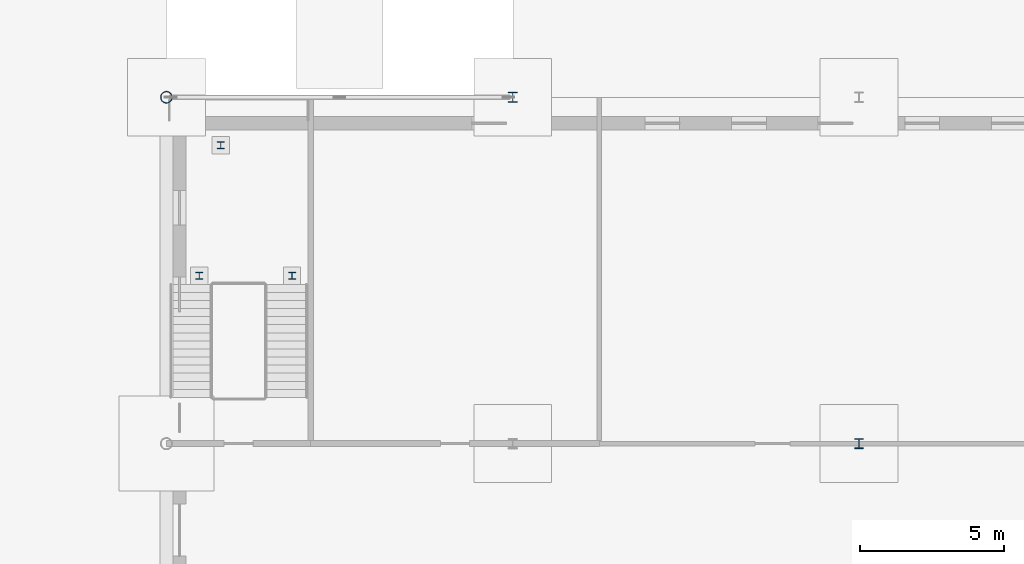
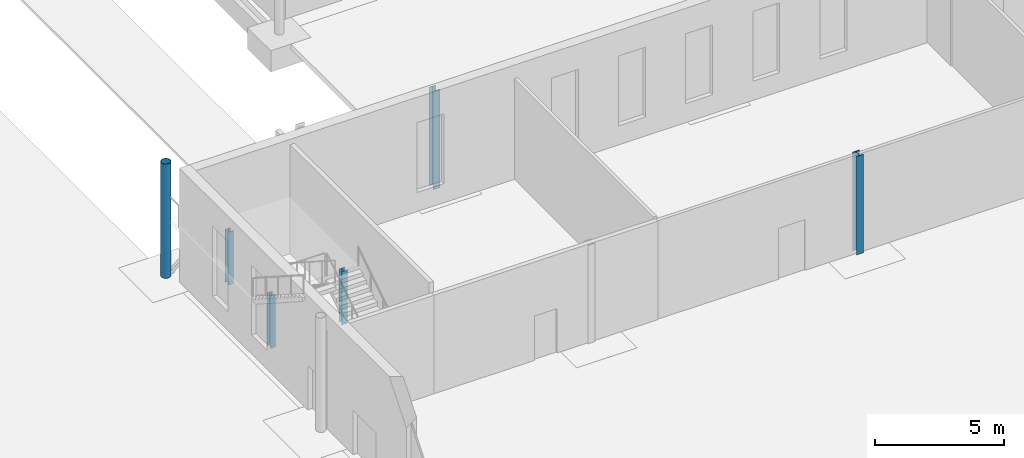
# One storey, part 18 of 132: 6 columns.
"""IFC4 building model written with IfcOpenShell, lengths in metres."""

from ifc_helpers import new_model, si_unit, direction, frame, origin, origin_2d, place, context, subcontext, project, spatial, hollow_circle, i_section, extrude, material, material_profile, profile_set, type_object, element, save


model = new_model("IFC4")

# Units and contexts
model_context = context("Model", 3, precision=1e-05, world=origin(), true_north=direction((0.0, 1.0)))
body_context = subcontext(model_context, "Body", "Model", "MODEL_VIEW")
ifc_project = project(units=[si_unit("LENGTHUNIT", "METRE"), si_unit("AREAUNIT", "SQUARE_METRE"), si_unit("VOLUMEUNIT", "CUBIC_METRE"), si_unit("PLANEANGLEUNIT", "RADIAN"), si_unit("MASSUNIT", "GRAM", prefix="KILO")], contexts=[model_context])

# Site, building, storey
site_placement = place(None, origin())
site = spatial("IfcSite", under=ifc_project, at=site_placement, CompositionType="ELEMENT")
building_placement = place(site_placement, origin())
building = spatial("IfcBuilding", under=site, at=building_placement, Name="Ravi Spectrum Wholesale Market", CompositionType="ELEMENT")
storey_placement = place(building_placement, origin())
storey = spatial("IfcBuildingStorey", under=building, at=storey_placement, Name="L00", CompositionType="ELEMENT", Elevation=0.0)

# Columns
ifc_material_1 = material(Name="Steel S355", Category="steel")
ifc_material_profile_1 = material_profile(ifc_material_1, hollow_circle(Radius=0.203125, WallThickness=0.01611328125, at=origin_2d()))
ifc_profile_set_1 = profile_set([ifc_material_profile_1], Name="Steel S355")
column_type_1 = type_object("IfcColumnType", Name="CHS 406.4x16 column", PredefinedType="COLUMN", material=ifc_profile_set_1)
column_placement = place(storey_placement, frame((150.0, 126.0, 0.0), z_axis=(0.0, 0.0, 1.0), x_axis=(1.0, 0.0, 0.0)))
element("IfcColumn", 1, at=column_placement, inside=storey, type_object=column_type_1, Name="H2-COL-L00-005", PredefinedType="COLUMN", context=body_context, shape_type="SweptSolid", body=[
    extrude(hollow_circle(Radius=0.203125, WallThickness=0.01611328125, at=origin_2d()), origin(), (0.0, 0.0, 1.0), 5.39990234375),
])
ifc_material_2 = material(Name="Steel S355", Category="steel")
ifc_material_profile_2 = material_profile(ifc_material_2, i_section(OverallWidth=0.239990234375, OverallDepth=0.239990234375, WebThickness=0.010009765625, FlangeThickness=0.01708984375, at=origin_2d()))
ifc_profile_set_2 = profile_set([ifc_material_profile_2], Name="Steel S355")
column_type_2 = type_object("IfcColumnType", Name="HEB 240 column", PredefinedType="COLUMN", material=ifc_profile_set_2)
for number, where, z_axis, x_axis, name in (
    (2, (151.14111328125, 119.820068359375, 0.0), (0.0, 0.0, 1.0), (1.0, 0.0, 0.0), "H2-COL-L00-025"),
    (3, (151.882080078125, 124.343017578125, 0.0), (0.0, 0.0, 1.0), (1.0, 0.0, 0.0), "H2-COL-L00-026"),
    (4, (154.35302734375, 119.820068359375, 0.0), (0.0, 0.0, 1.0), (1.0, 0.0, 0.0), "H2-COL-L00-027"),
):
    element("IfcColumn", number, at=place(storey_placement, frame(where, z_axis=z_axis, x_axis=x_axis)), inside=storey, type_object=column_type_2, Name=name, PredefinedType="COLUMN", context=body_context, shape_type="SweptSolid", body=[
        extrude(i_section(OverallWidth=0.239990234375, OverallDepth=0.239990234375, WebThickness=0.010009765625, FlangeThickness=0.01708984375, at=origin_2d()), origin(), (0.0, 0.0, 1.0), 2.5),
    ])
ifc_material_3 = material(Name="Steel S355", Category="steel")
ifc_material_profile_3 = material_profile(ifc_material_3, i_section(OverallWidth=0.300048828125, OverallDepth=0.340087890625, WebThickness=0.011962890625, FlangeThickness=0.021484375, at=origin_2d()))
ifc_profile_set_3 = profile_set([ifc_material_profile_3], Name="Steel S355")
column_type_3 = type_object("IfcColumnType", Name="HEB 340 column", PredefinedType="COLUMN", material=ifc_profile_set_3)
for number, where, z_axis, x_axis, name in (
    (5, (162.0, 126.0, 0.0), (0.0, 0.0, 1.0), (1.0, 0.0, 0.0), "H2-COL-L00-012"),
    (6, (174.0, 114.0, 0.0), (0.0, 0.0, 1.0), (1.0, 0.0, 0.0), "H2-COL-L00-013"),
):
    element("IfcColumn", number, at=place(storey_placement, frame(where, z_axis=z_axis, x_axis=x_axis)), inside=storey, type_object=column_type_3, Name=name, PredefinedType="COLUMN", context=body_context, shape_type="SweptSolid", body=[
        extrude(i_section(OverallWidth=0.300048828125, OverallDepth=0.340087890625, WebThickness=0.011962890625, FlangeThickness=0.021484375, at=origin_2d()), origin(), (0.0, 0.0, 1.0), 4.64990234375),
    ])

save(model, "model.ifc")
